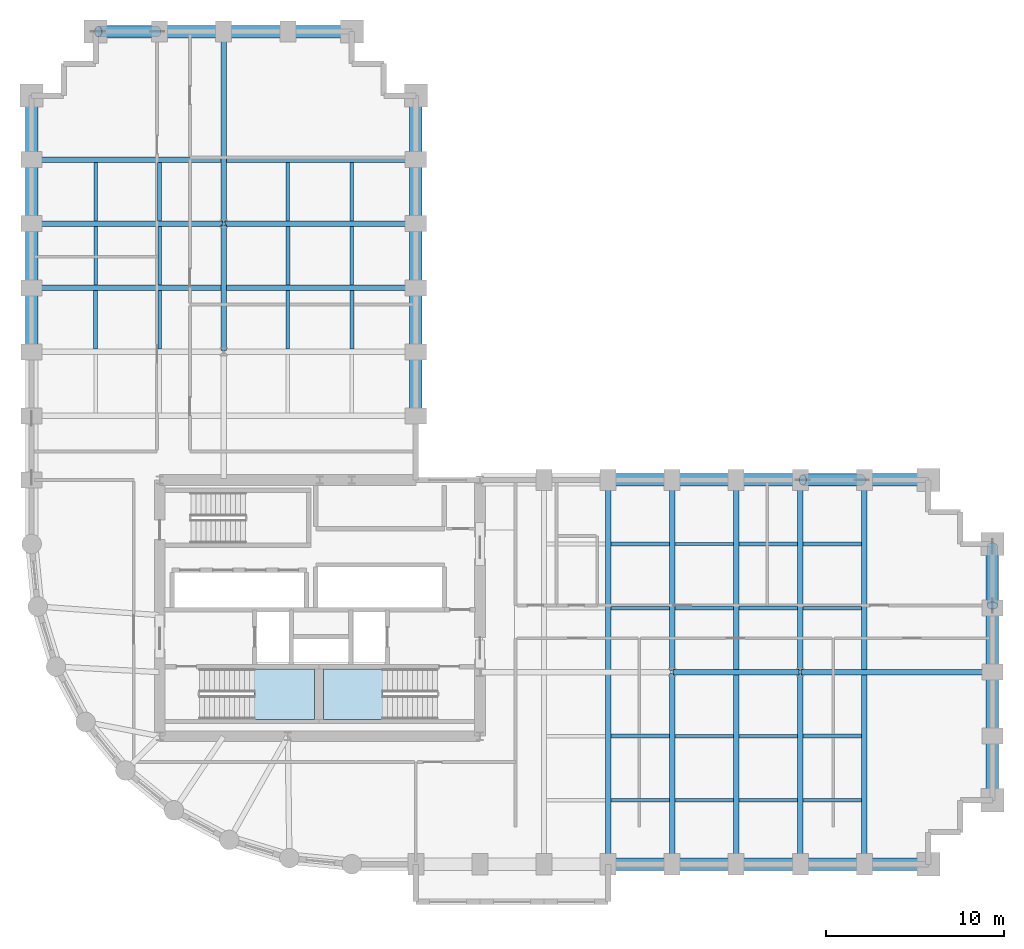
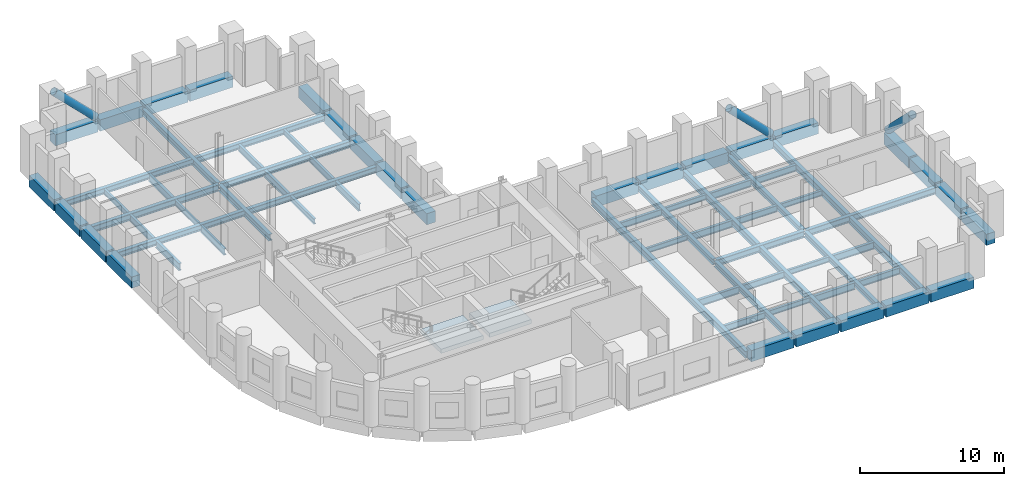
# One storey, part 2 of 9: 70 beams, 3 members, 2 slabs, 2 elements without a shape of their own.
"""IFC4 building model written with IfcOpenShell, lengths in metres."""

from ifc_helpers import new_model, si_unit, direction, frame, origin, origin_2d, place, context, subcontext, project, spatial, polyline, rectangle, hollow_circle, i_section, outline, extrude, material, layer, layer_set, material_profile, profile_set, type_object, element, aggregate, save


model = new_model("IFC4")

# Units and contexts
model_context = context("Model", 3, precision=1e-05, world=origin(), true_north=direction((0.0, 1.0)))
body_context = subcontext(model_context, "Body", "Model", "MODEL_VIEW")
ifc_project = project(units=[si_unit("LENGTHUNIT", "METRE"), si_unit("AREAUNIT", "SQUARE_METRE"), si_unit("VOLUMEUNIT", "CUBIC_METRE"), si_unit("PLANEANGLEUNIT", "RADIAN"), si_unit("MASSUNIT", "GRAM", prefix="KILO")], contexts=[model_context])

# Site, building, storey
site_placement = place(None, origin())
site = spatial("IfcSite", under=ifc_project, at=site_placement, CompositionType="ELEMENT")
building_placement = place(site_placement, origin())
building = spatial("IfcBuilding", under=site, at=building_placement, Name="Solnavia Interchange Tower", CompositionType="ELEMENT")
storey_placement = place(building_placement, frame((0.0, 0.0, 59.10009765625)))
storey = spatial("IfcBuildingStorey", under=building, at=storey_placement, Name="L14", CompositionType="ELEMENT", Elevation=59.10009765625)

# Beams
ifc_material_1 = material(Name="Steel S460", Category="steel")
ifc_material_profile_1 = material_profile(ifc_material_1, i_section(OverallWidth=0.300048828125, OverallDepth=0.550048828125, WebThickness=0.014892578125, FlangeThickness=0.029052734375, FilletRadius=0.027099609375, at=origin_2d()), Name="HEB 550")
ifc_profile_set_1 = profile_set([ifc_material_profile_1], Name="Steel S460")
beam_type_1 = type_object("IfcBeamType", Name="Beam-Girder-HEB550", PredefinedType="BEAM", material=ifc_profile_set_1)
beam_1_placement = place(storey_placement, frame((43.280029296875, 14.39990234375, -0.525146484375), z_axis=(1.0, 0.0, 0.0), x_axis=(0.0, 1.0, 0.0)))
element("IfcBeam", 1, at=beam_1_placement, inside=storey, type_object=beam_type_1, Name="GRD-L14-ES02 East wing spine girder", PredefinedType="BEAM", context=body_context, shape_type="SweptSolid", body=[
    extrude(i_section(OverallWidth=0.300048828125, OverallDepth=0.550048828125, WebThickness=0.014892578125, FlangeThickness=0.029052734375, FilletRadius=0.027099609375, at=origin_2d()), origin(), (0.0, 0.0, 1.0), 7.0400390625),
])
beam_2_placement = place(storey_placement, frame((50.47998046875, 14.39990234375, -0.525146484375), z_axis=(1.0, 0.0, 0.0), x_axis=(0.0, 1.0, 0.0)))
element("IfcBeam", 2, at=beam_2_placement, inside=storey, type_object=beam_type_1, Name="GRD-L14-ES03 East wing spine girder", PredefinedType="BEAM", context=body_context, shape_type="SweptSolid", body=[
    extrude(i_section(OverallWidth=0.300048828125, OverallDepth=0.550048828125, WebThickness=0.014892578125, FlangeThickness=0.029052734375, FilletRadius=0.027099609375, at=origin_2d()), origin(), (0.0, 0.0, 1.0), 10.64013671875),
])
beam_3_placement = place(storey_placement, frame((18.0, 32.47998046875, -0.525146484375), z_axis=(0.0, 1.0, 0.0), x_axis=(-1.0, 0.0, 0.0)))
element("IfcBeam", 3, at=beam_3_placement, inside=storey, type_object=beam_type_1, Name="GRD-L14-NS13 North wing spine girder", PredefinedType="BEAM", context=body_context, shape_type="SweptSolid", body=[
    extrude(i_section(OverallWidth=0.300048828125, OverallDepth=0.550048828125, WebThickness=0.014892578125, FlangeThickness=0.029052734375, FilletRadius=0.027099609375, at=origin_2d()), origin(), (0.0, 0.0, 1.0), 7.0400390625),
])
beam_4_placement = place(storey_placement, frame((18.0, 39.679931640625, -0.525146484375), z_axis=(0.0, 1.0, 0.0), x_axis=(-1.0, 0.0, 0.0)))
element("IfcBeam", 4, at=beam_4_placement, inside=storey, type_object=beam_type_1, Name="GRD-L14-NS14 North wing spine girder", PredefinedType="BEAM", context=body_context, shape_type="SweptSolid", body=[
    extrude(i_section(OverallWidth=0.300048828125, OverallDepth=0.550048828125, WebThickness=0.014892578125, FlangeThickness=0.029052734375, FilletRadius=0.027099609375, at=origin_2d()), origin(), (0.0, 0.0, 1.0), 10.64013671875),
])
for number, where, z_axis, x_axis, name in (
    (5, (7.280029296875, 39.60009765625, -0.525146484375), (1.0, 0.0, 0.0), (0.0, 1.0, 0.0), "GRD-L14-NW19 North wing primary floor girder"),
    (6, (18.080078125, 39.60009765625, -0.525146484375), (1.0, 0.0, 0.0), (0.0, 1.0, 0.0), "GRD-L14-NW20 North wing primary floor girder"),
):
    element("IfcBeam", number, at=place(storey_placement, frame(where, z_axis=z_axis, x_axis=x_axis)), inside=storey, type_object=beam_type_1, Name=name, PredefinedType="BEAM", context=body_context, shape_type="SweptSolid", body=[
        extrude(i_section(OverallWidth=0.300048828125, OverallDepth=0.550048828125, WebThickness=0.014892578125, FlangeThickness=0.029052734375, FilletRadius=0.027099609375, at=origin_2d()), origin(), (0.0, 0.0, 1.0), 10.639892578125),
    ])
ifc_material_2 = material(Name="Steel S355", Category="steel")
ifc_material_profile_2 = material_profile(ifc_material_2, i_section(OverallWidth=0.18994140625, OverallDepth=0.449951171875, WebThickness=0.009521484375, FlangeThickness=0.0146484375, FilletRadius=0.02099609375, at=origin_2d()), Name="IPE 450")
ifc_profile_set_2 = profile_set([ifc_material_profile_2], Name="Steel S355")
beam_type_2 = type_object("IfcBeamType", Name="Beam-Joist-IPE450", PredefinedType="JOIST", material=ifc_profile_set_2)
beam_5_placement = place(storey_placement, frame((43.35009765625, 7.199951171875, -0.47509765625), z_axis=(1.0, 0.0, 0.0), x_axis=(0.0, 1.0, 0.0)))
element("IfcBeam", 7, at=beam_5_placement, inside=storey, type_object=beam_type_2, Name="JST-L14-E03 East wing secondary joist", PredefinedType="JOIST", context=body_context, shape_type="SweptSolid", body=[
    extrude(i_section(OverallWidth=0.18994140625, OverallDepth=0.449951171875, WebThickness=0.009521484375, FlangeThickness=0.0146484375, FilletRadius=0.02099609375, at=origin_2d()), origin(), (0.0, 0.0, 1.0), 3.2998046875),
])
for number, where, z_axis, x_axis, name in (
    (8, (46.949951171875, 10.800048828125, -0.47509765625), (1.0, 0.0, 0.0), (0.0, 1.0, 0.0), "JST-L14-E09 East wing secondary joist"),
    (9, (39.75, 18.0, -0.47509765625), (1.0, 0.0, 0.0), (0.0, 1.0, 0.0), "JST-L14-E12 East wing secondary joist"),
    (10, (50.550048828125, 18.0, -0.47509765625), (1.0, 0.0, 0.0), (0.0, 1.0, 0.0), "JST-L14-E15 East wing secondary joist"),
):
    element("IfcBeam", number, at=place(storey_placement, frame(where, z_axis=z_axis, x_axis=x_axis)), inside=storey, type_object=beam_type_2, Name=name, PredefinedType="JOIST", context=body_context, shape_type="SweptSolid", body=[
        extrude(i_section(OverallWidth=0.18994140625, OverallDepth=0.449951171875, WebThickness=0.009521484375, FlangeThickness=0.0146484375, FilletRadius=0.02099609375, at=origin_2d()), origin(), (0.0, 0.0, 1.0), 3.300048828125),
    ])
beam_6_placement = place(storey_placement, frame((43.35009765625, 21.60009765625, -0.47509765625), z_axis=(1.0, 0.0, 0.0), x_axis=(0.0, 1.0, 0.0)))
element("IfcBeam", 11, at=beam_6_placement, inside=storey, type_object=beam_type_2, Name="JST-L14-E18 East wing secondary joist", PredefinedType="JOIST", context=body_context, shape_type="SweptSolid", body=[
    extrude(i_section(OverallWidth=0.18994140625, OverallDepth=0.449951171875, WebThickness=0.009521484375, FlangeThickness=0.0146484375, FilletRadius=0.02099609375, at=origin_2d()), origin(), (0.0, 0.0, 1.0), 3.2998046875),
])
for number, where, z_axis, x_axis, name in (
    (12, (10.800048828125, 39.75, -0.47509765625), (0.0, 1.0, 0.0), (-1.0, 0.0, 0.0), "JST-L14-N24 North wing secondary joist"),
    (13, (14.39990234375, 36.14990234375, -0.47509765625), (0.0, 1.0, 0.0), (-1.0, 0.0, 0.0), "JST-L14-N27 North wing secondary joist"),
    (14, (21.60009765625, 32.550048828125, -0.47509765625), (0.0, 1.0, 0.0), (-1.0, 0.0, 0.0), "JST-L14-N30 North wing secondary joist"),
    (15, (25.199951171875, 39.75, -0.47509765625), (0.0, 1.0, 0.0), (-1.0, 0.0, 0.0), "JST-L14-N36 North wing secondary joist"),
):
    element("IfcBeam", number, at=place(storey_placement, frame(where, z_axis=z_axis, x_axis=x_axis)), inside=storey, type_object=beam_type_2, Name=name, PredefinedType="JOIST", context=body_context, shape_type="SweptSolid", body=[
        extrude(i_section(OverallWidth=0.18994140625, OverallDepth=0.449951171875, WebThickness=0.009521484375, FlangeThickness=0.0146484375, FilletRadius=0.02099609375, at=origin_2d()), origin(), (0.0, 0.0, 1.0), 3.300048828125),
    ])
ifc_material_profile_3 = material_profile(ifc_material_2, i_section(OverallWidth=0.2099609375, OverallDepth=0.550048828125, WebThickness=0.010986328125, FlangeThickness=0.01708984375, FilletRadius=0.02392578125, at=origin_2d()), Name="IPE 550")
ifc_profile_set_3 = profile_set([ifc_material_profile_3], Name="Steel S355")
beam_type_3 = type_object("IfcBeamType", Name="Beam-Joist-IPE550", PredefinedType="JOIST", material=ifc_profile_set_3)
for number, where, z_axis, x_axis, name in (
    (16, (39.75, 7.199951171875, -0.525146484375), (1.0, 0.0, 0.0), (0.0, 1.0, 0.0), "JST-L14-E02 East wing secondary joist"),
    (17, (50.550048828125, 7.199951171875, -0.525146484375), (1.0, 0.0, 0.0), (0.0, 1.0, 0.0), "JST-L14-E05 East wing secondary joist"),
):
    element("IfcBeam", number, at=place(storey_placement, frame(where, z_axis=z_axis, x_axis=x_axis)), inside=storey, type_object=beam_type_3, Name=name, PredefinedType="JOIST", context=body_context, shape_type="SweptSolid", body=[
        extrude(i_section(OverallWidth=0.2099609375, OverallDepth=0.550048828125, WebThickness=0.010986328125, FlangeThickness=0.01708984375, FilletRadius=0.02392578125, at=origin_2d()), origin(), (0.0, 0.0, 1.0), 3.300048828125),
    ])
beam_7_placement = place(storey_placement, frame((43.35009765625, 10.800048828125, -0.525146484375), z_axis=(1.0, 0.0, 0.0), x_axis=(0.0, 1.0, 0.0)))
element("IfcBeam", 18, at=beam_7_placement, inside=storey, type_object=beam_type_3, Name="JST-L14-E08 East wing secondary joist", PredefinedType="JOIST", context=body_context, shape_type="SweptSolid", body=[
    extrude(i_section(OverallWidth=0.2099609375, OverallDepth=0.550048828125, WebThickness=0.010986328125, FlangeThickness=0.01708984375, FilletRadius=0.02392578125, at=origin_2d()), origin(), (0.0, 0.0, 1.0), 3.2998046875),
])
for number, where, z_axis, x_axis, name in (
    (19, (46.949951171875, 18.0, -0.525146484375), (1.0, 0.0, 0.0), (0.0, 1.0, 0.0), "JST-L14-E14 East wing secondary joist"),
    (20, (39.75, 21.60009765625, -0.525146484375), (1.0, 0.0, 0.0), (0.0, 1.0, 0.0), "JST-L14-E17 East wing secondary joist"),
    (21, (50.550048828125, 21.60009765625, -0.525146484375), (1.0, 0.0, 0.0), (0.0, 1.0, 0.0), "JST-L14-E20 East wing secondary joist"),
    (22, (10.800048828125, 36.14990234375, -0.525146484375), (0.0, 1.0, 0.0), (-1.0, 0.0, 0.0), "JST-L14-N23 North wing secondary joist"),
    (23, (14.39990234375, 32.550048828125, -0.525146484375), (0.0, 1.0, 0.0), (-1.0, 0.0, 0.0), "JST-L14-N26 North wing secondary joist"),
    (24, (21.60009765625, 39.75, -0.525146484375), (0.0, 1.0, 0.0), (-1.0, 0.0, 0.0), "JST-L14-N32 North wing secondary joist"),
    (25, (25.199951171875, 36.14990234375, -0.525146484375), (0.0, 1.0, 0.0), (-1.0, 0.0, 0.0), "JST-L14-N35 North wing secondary joist"),
):
    element("IfcBeam", number, at=place(storey_placement, frame(where, z_axis=z_axis, x_axis=x_axis)), inside=storey, type_object=beam_type_3, Name=name, PredefinedType="JOIST", context=body_context, shape_type="SweptSolid", body=[
        extrude(i_section(OverallWidth=0.2099609375, OverallDepth=0.550048828125, WebThickness=0.010986328125, FlangeThickness=0.01708984375, FilletRadius=0.02392578125, at=origin_2d()), origin(), (0.0, 0.0, 1.0), 3.300048828125),
    ])
ifc_material_profile_4 = material_profile(ifc_material_2, i_section(OverallWidth=0.219970703125, OverallDepth=0.60009765625, WebThickness=0.011962890625, FlangeThickness=0.01904296875, FilletRadius=0.02392578125, at=origin_2d()), Name="IPE 600")
ifc_profile_set_4 = profile_set([ifc_material_profile_4], Name="Steel S355")
beam_type_4 = type_object("IfcBeamType", Name="Beam-Joist-IPE600", PredefinedType="JOIST", material=ifc_profile_set_4)
for number, where, z_axis, x_axis, name in (
    (26, (46.949951171875, 7.199951171875, -0.550048828125), (1.0, 0.0, 0.0), (0.0, 1.0, 0.0), "JST-L14-E04 East wing secondary joist"),
    (27, (39.75, 10.800048828125, -0.550048828125), (1.0, 0.0, 0.0), (0.0, 1.0, 0.0), "JST-L14-E07 East wing secondary joist"),
    (28, (50.550048828125, 10.800048828125, -0.550048828125), (1.0, 0.0, 0.0), (0.0, 1.0, 0.0), "JST-L14-E10 East wing secondary joist"),
):
    element("IfcBeam", number, at=place(storey_placement, frame(where, z_axis=z_axis, x_axis=x_axis)), inside=storey, type_object=beam_type_4, Name=name, PredefinedType="JOIST", context=body_context, shape_type="SweptSolid", body=[
        extrude(i_section(OverallWidth=0.219970703125, OverallDepth=0.60009765625, WebThickness=0.011962890625, FlangeThickness=0.01904296875, FilletRadius=0.02392578125, at=origin_2d()), origin(), (0.0, 0.0, 1.0), 3.300048828125),
    ])
beam_8_placement = place(storey_placement, frame((43.35009765625, 18.0, -0.550048828125), z_axis=(1.0, 0.0, 0.0), x_axis=(0.0, 1.0, 0.0)))
element("IfcBeam", 29, at=beam_8_placement, inside=storey, type_object=beam_type_4, Name="JST-L14-E13 East wing secondary joist", PredefinedType="JOIST", context=body_context, shape_type="SweptSolid", body=[
    extrude(i_section(OverallWidth=0.219970703125, OverallDepth=0.60009765625, WebThickness=0.011962890625, FlangeThickness=0.01904296875, FilletRadius=0.02392578125, at=origin_2d()), origin(), (0.0, 0.0, 1.0), 3.2998046875),
])
for number, where, z_axis, x_axis, name in (
    (30, (46.949951171875, 21.60009765625, -0.550048828125), (1.0, 0.0, 0.0), (0.0, 1.0, 0.0), "JST-L14-E19 East wing secondary joist"),
    (31, (10.800048828125, 32.550048828125, -0.550048828125), (0.0, 1.0, 0.0), (-1.0, 0.0, 0.0), "JST-L14-N22 North wing secondary joist"),
    (32, (14.39990234375, 39.75, -0.550048828125), (0.0, 1.0, 0.0), (-1.0, 0.0, 0.0), "JST-L14-N28 North wing secondary joist"),
    (33, (21.60009765625, 36.14990234375, -0.550048828125), (0.0, 1.0, 0.0), (-1.0, 0.0, 0.0), "JST-L14-N31 North wing secondary joist"),
    (34, (25.199951171875, 32.550048828125, -0.550048828125), (0.0, 1.0, 0.0), (-1.0, 0.0, 0.0), "JST-L14-N34 North wing secondary joist"),
):
    element("IfcBeam", number, at=place(storey_placement, frame(where, z_axis=z_axis, x_axis=x_axis)), inside=storey, type_object=beam_type_4, Name=name, PredefinedType="JOIST", context=body_context, shape_type="SweptSolid", body=[
        extrude(i_section(OverallWidth=0.219970703125, OverallDepth=0.60009765625, WebThickness=0.011962890625, FlangeThickness=0.01904296875, FilletRadius=0.02392578125, at=origin_2d()), origin(), (0.0, 0.0, 1.0), 3.300048828125),
    ])
ifc_material_profile_5 = material_profile(ifc_material_2, i_section(OverallWidth=0.300048828125, OverallDepth=0.489990234375, WebThickness=0.011962890625, FlangeThickness=0.02294921875, FilletRadius=0.027099609375, at=origin_2d()), Name="HEA 500")
ifc_profile_set_5 = profile_set([ifc_material_profile_5], Name="Steel S355")
beam_type_5 = type_object("IfcBeamType", Name="Beam-Primary-HEA500", PredefinedType="BEAM", material=ifc_profile_set_5)
for number, where, z_axis, x_axis, name in (
    (35, (43.199951171875, 3.679931640625, -0.4951171875), (0.0, 1.0, 0.0), (-1.0, 0.0, 0.0), "GRD-L14-EW06 East wing primary floor girder"),
    (36, (43.199951171875, 14.47998046875, -0.4951171875), (0.0, 1.0, 0.0), (-1.0, 0.0, 0.0), "GRD-L14-EW07 East wing primary floor girder"),
    (37, (50.39990234375, 3.679931640625, -0.4951171875), (0.0, 1.0, 0.0), (-1.0, 0.0, 0.0), "GRD-L14-EW09 East wing primary floor girder"),
    (38, (50.39990234375, 14.47998046875, -0.4951171875), (0.0, 1.0, 0.0), (-1.0, 0.0, 0.0), "GRD-L14-EW10 East wing primary floor girder"),
):
    element("IfcBeam", number, at=place(storey_placement, frame(where, z_axis=z_axis, x_axis=x_axis)), inside=storey, type_object=beam_type_5, Name=name, PredefinedType="BEAM", context=body_context, shape_type="SweptSolid", body=[
        extrude(i_section(OverallWidth=0.300048828125, OverallDepth=0.489990234375, WebThickness=0.011962890625, FlangeThickness=0.02294921875, FilletRadius=0.027099609375, at=origin_2d()), origin(), (0.0, 0.0, 1.0), 10.64013671875),
    ])
for number, where, z_axis, x_axis, name in (
    (39, (7.280029296875, 36.0, -0.4951171875), (1.0, 0.0, 0.0), (0.0, 1.0, 0.0), "GRD-L14-NW18 North wing primary floor girder"),
    (40, (7.280029296875, 43.199951171875, -0.4951171875), (1.0, 0.0, 0.0), (0.0, 1.0, 0.0), "GRD-L14-NW21 North wing primary floor girder"),
):
    element("IfcBeam", number, at=place(storey_placement, frame(where, z_axis=z_axis, x_axis=x_axis)), inside=storey, type_object=beam_type_5, Name=name, PredefinedType="BEAM", context=body_context, shape_type="SweptSolid", body=[
        extrude(i_section(OverallWidth=0.300048828125, OverallDepth=0.489990234375, WebThickness=0.011962890625, FlangeThickness=0.02294921875, FilletRadius=0.027099609375, at=origin_2d()), origin(), (0.0, 0.0, 1.0), 21.43994140625),
    ])
ifc_material_profile_6 = material_profile(ifc_material_2, i_section(OverallWidth=0.300048828125, OverallDepth=0.590087890625, WebThickness=0.012939453125, FlangeThickness=0.02490234375, FilletRadius=0.027099609375, at=origin_2d()), Name="HEA 600")
ifc_profile_set_6 = profile_set([ifc_material_profile_6], Name="Steel S355")
beam_type_6 = type_object("IfcBeamType", Name="Beam-Primary-HEA600", PredefinedType="BEAM", material=ifc_profile_set_6)
for number, where, z_axis, x_axis, name in (
    (41, (39.60009765625, 3.679931640625, -0.545166015625), (0.0, 1.0, 0.0), (-1.0, 0.0, 0.0), "GRD-L14-EW05 East wing primary floor girder"),
    (42, (46.800048828125, 3.679931640625, -0.545166015625), (0.0, 1.0, 0.0), (-1.0, 0.0, 0.0), "GRD-L14-EW08 East wing primary floor girder"),
    (43, (54.0, 3.679931640625, -0.545166015625), (0.0, 1.0, 0.0), (-1.0, 0.0, 0.0), "GRD-L14-EW11 East wing primary floor girder"),
):
    element("IfcBeam", number, at=place(storey_placement, frame(where, z_axis=z_axis, x_axis=x_axis)), inside=storey, type_object=beam_type_6, Name=name, PredefinedType="BEAM", context=body_context, shape_type="SweptSolid", body=[
        extrude(i_section(OverallWidth=0.300048828125, OverallDepth=0.590087890625, WebThickness=0.012939453125, FlangeThickness=0.02490234375, FilletRadius=0.027099609375, at=origin_2d()), origin(), (0.0, 0.0, 1.0), 21.440185546875),
    ])
ifc_material_3 = material(Name="Concrete C50/60", Category="concrete")
ifc_material_profile_7 = material_profile(ifc_material_3, rectangle(XDim=0.699951171875, YDim=0.949951171875, at=origin_2d()), Name="RC 700x950")
ifc_profile_set_7 = profile_set([ifc_material_profile_7], Name="Concrete C50/60")
beam_type_7 = type_object("IfcBeamType", Name="Beam-Spandrel-RC700x950", PredefinedType="SPANDREL", material=ifc_profile_set_7)
beam_9_placement = place(storey_placement, frame((39.679931640625, 3.60009765625, -0.47509765625), z_axis=(1.0, 0.0, 0.0), x_axis=(0.0, 1.0, 0.0)))
element("IfcBeam", 44, at=beam_9_placement, inside=storey, type_object=beam_type_7, Name="SPB-L14-13 Framed-tube perimeter spandrel beam", PredefinedType="SPANDREL", context=body_context, shape_type="SweptSolid", body=[
    extrude(rectangle(XDim=0.699951171875, YDim=0.949951171875, at=origin_2d()), origin(), (0.0, 0.0, 1.0), 3.440185546875),
])
beam_10_placement = place(storey_placement, frame((43.280029296875, 3.60009765625, -0.47509765625), z_axis=(1.0, 0.0, 0.0), x_axis=(0.0, 1.0, 0.0)))
element("IfcBeam", 45, at=beam_10_placement, inside=storey, type_object=beam_type_7, Name="SPB-L14-14 Framed-tube perimeter spandrel beam", PredefinedType="SPANDREL", context=body_context, shape_type="SweptSolid", body=[
    extrude(rectangle(XDim=0.699951171875, YDim=0.949951171875, at=origin_2d()), origin(), (0.0, 0.0, 1.0), 3.43994140625),
])
beam_11_placement = place(storey_placement, frame((46.8798828125, 3.60009765625, -0.47509765625), z_axis=(1.0, 0.0, 0.0), x_axis=(0.0, 1.0, 0.0)))
element("IfcBeam", 46, at=beam_11_placement, inside=storey, type_object=beam_type_7, Name="SPB-L14-15 Framed-tube perimeter spandrel beam", PredefinedType="SPANDREL", context=body_context, shape_type="SweptSolid", body=[
    extrude(rectangle(XDim=0.699951171875, YDim=0.949951171875, at=origin_2d()), origin(), (0.0, 0.0, 1.0), 3.440185546875),
])
for number, where, z_axis, x_axis, name in (
    (47, (50.47998046875, 3.60009765625, -0.47509765625), (1.0, 0.0, 0.0), (0.0, 1.0, 0.0), "SPB-L14-16 Framed-tube perimeter spandrel beam"),
    (48, (54.080078125, 3.60009765625, -0.47509765625), (1.0, 0.0, 0.0), (0.0, 1.0, 0.0), "SPB-L14-17 Framed-tube perimeter spandrel beam"),
    (49, (61.199951171875, 7.280029296875, -0.47509765625), (0.0, 1.0, 0.0), (-1.0, 0.0, 0.0), "SPB-L14-18 Framed-tube perimeter spandrel beam"),
):
    element("IfcBeam", number, at=place(storey_placement, frame(where, z_axis=z_axis, x_axis=x_axis)), inside=storey, type_object=beam_type_7, Name=name, PredefinedType="SPANDREL", context=body_context, shape_type="SweptSolid", body=[
        extrude(rectangle(XDim=0.699951171875, YDim=0.949951171875, at=origin_2d()), origin(), (0.0, 0.0, 1.0), 3.43994140625),
    ])
beam_12_placement = place(storey_placement, frame((61.199951171875, 10.8798828125, -0.47509765625), z_axis=(0.0, 1.0, 0.0), x_axis=(-1.0, 0.0, 0.0)))
element("IfcBeam", 50, at=beam_12_placement, inside=storey, type_object=beam_type_7, Name="SPB-L14-19 Framed-tube perimeter spandrel beam", PredefinedType="SPANDREL", context=body_context, shape_type="SweptSolid", body=[
    extrude(rectangle(XDim=0.699951171875, YDim=0.949951171875, at=origin_2d()), origin(), (0.0, 0.0, 1.0), 3.440185546875),
])
for number, where, z_axis, x_axis, name in (
    (51, (61.199951171875, 14.47998046875, -0.47509765625), (0.0, 1.0, 0.0), (-1.0, 0.0, 0.0), "SPB-L14-20 Framed-tube perimeter spandrel beam"),
    (52, (61.199951171875, 18.080078125, -0.47509765625), (0.0, 1.0, 0.0), (-1.0, 0.0, 0.0), "SPB-L14-21 Framed-tube perimeter spandrel beam"),
    (53, (57.52001953125, 25.199951171875, -0.47509765625), (-1.0, 0.0, 0.0), (0.0, -1.0, 0.0), "SPB-L14-22 Framed-tube perimeter spandrel beam"),
    (54, (53.919921875, 25.199951171875, -0.47509765625), (-1.0, 0.0, 0.0), (0.0, -1.0, 0.0), "SPB-L14-23 Framed-tube perimeter spandrel beam"),
):
    element("IfcBeam", number, at=place(storey_placement, frame(where, z_axis=z_axis, x_axis=x_axis)), inside=storey, type_object=beam_type_7, Name=name, PredefinedType="SPANDREL", context=body_context, shape_type="SweptSolid", body=[
        extrude(rectangle(XDim=0.699951171875, YDim=0.949951171875, at=origin_2d()), origin(), (0.0, 0.0, 1.0), 3.43994140625),
    ])
beam_13_placement = place(storey_placement, frame((50.320068359375, 25.199951171875, -0.47509765625), z_axis=(-1.0, 0.0, 0.0), x_axis=(0.0, -1.0, 0.0)))
element("IfcBeam", 55, at=beam_13_placement, inside=storey, type_object=beam_type_7, Name="SPB-L14-24 Framed-tube perimeter spandrel beam", PredefinedType="SPANDREL", context=body_context, shape_type="SweptSolid", body=[
    extrude(rectangle(XDim=0.699951171875, YDim=0.949951171875, at=origin_2d()), origin(), (0.0, 0.0, 1.0), 3.440185546875),
])
beam_14_placement = place(storey_placement, frame((46.719970703125, 25.199951171875, -0.47509765625), z_axis=(-1.0, 0.0, 0.0), x_axis=(0.0, -1.0, 0.0)))
element("IfcBeam", 56, at=beam_14_placement, inside=storey, type_object=beam_type_7, Name="SPB-L14-25 Framed-tube perimeter spandrel beam", PredefinedType="SPANDREL", context=body_context, shape_type="SweptSolid", body=[
    extrude(rectangle(XDim=0.699951171875, YDim=0.949951171875, at=origin_2d()), origin(), (0.0, 0.0, 1.0), 3.43994140625),
])
for number, where, z_axis, x_axis, name in (
    (57, (43.1201171875, 25.199951171875, -0.47509765625), (-1.0, 0.0, 0.0), (0.0, -1.0, 0.0), "SPB-L14-26 Framed-tube perimeter spandrel beam"),
    (58, (28.800048828125, 28.8798828125, -0.47509765625), (0.0, 1.0, 0.0), (-1.0, 0.0, 0.0), "SPB-L14-29 Framed-tube perimeter spandrel beam"),
):
    element("IfcBeam", number, at=place(storey_placement, frame(where, z_axis=z_axis, x_axis=x_axis)), inside=storey, type_object=beam_type_7, Name=name, PredefinedType="SPANDREL", context=body_context, shape_type="SweptSolid", body=[
        extrude(rectangle(XDim=0.699951171875, YDim=0.949951171875, at=origin_2d()), origin(), (0.0, 0.0, 1.0), 3.440185546875),
    ])
for number, where, z_axis, x_axis, name in (
    (59, (28.800048828125, 32.47998046875, -0.47509765625), (0.0, 1.0, 0.0), (-1.0, 0.0, 0.0), "SPB-L14-30 Framed-tube perimeter spandrel beam"),
    (60, (28.800048828125, 36.080078125, -0.47509765625), (0.0, 1.0, 0.0), (-1.0, 0.0, 0.0), "SPB-L14-31 Framed-tube perimeter spandrel beam"),
):
    element("IfcBeam", number, at=place(storey_placement, frame(where, z_axis=z_axis, x_axis=x_axis)), inside=storey, type_object=beam_type_7, Name=name, PredefinedType="SPANDREL", context=body_context, shape_type="SweptSolid", body=[
        extrude(rectangle(XDim=0.699951171875, YDim=0.949951171875, at=origin_2d()), origin(), (0.0, 0.0, 1.0), 3.43994140625),
    ])
beam_15_placement = place(storey_placement, frame((28.800048828125, 39.679931640625, -0.47509765625), z_axis=(0.0, 1.0, 0.0), x_axis=(-1.0, 0.0, 0.0)))
element("IfcBeam", 61, at=beam_15_placement, inside=storey, type_object=beam_type_7, Name="SPB-L14-32 Framed-tube perimeter spandrel beam", PredefinedType="SPANDREL", context=body_context, shape_type="SweptSolid", body=[
    extrude(rectangle(XDim=0.699951171875, YDim=0.949951171875, at=origin_2d()), origin(), (0.0, 0.0, 1.0), 3.440185546875),
])
beam_16_placement = place(storey_placement, frame((28.800048828125, 43.280029296875, -0.47509765625), z_axis=(0.0, 1.0, 0.0), x_axis=(-1.0, 0.0, 0.0)))
element("IfcBeam", 62, at=beam_16_placement, inside=storey, type_object=beam_type_7, Name="SPB-L14-33 Framed-tube perimeter spandrel beam", PredefinedType="SPANDREL", context=body_context, shape_type="SweptSolid", body=[
    extrude(rectangle(XDim=0.699951171875, YDim=0.949951171875, at=origin_2d()), origin(), (0.0, 0.0, 1.0), 3.43994140625),
])
beam_17_placement = place(storey_placement, frame((25.1201171875, 50.39990234375, -0.47509765625), z_axis=(-1.0, 0.0, 0.0), x_axis=(0.0, -1.0, 0.0)))
element("IfcBeam", 63, at=beam_17_placement, inside=storey, type_object=beam_type_7, Name="SPB-L14-34 Framed-tube perimeter spandrel beam", PredefinedType="SPANDREL", context=body_context, shape_type="SweptSolid", body=[
    extrude(rectangle(XDim=0.699951171875, YDim=0.949951171875, at=origin_2d()), origin(), (0.0, 0.0, 1.0), 3.440185546875),
])
for number, where, z_axis, x_axis, name in (
    (64, (21.52001953125, 50.39990234375, -0.47509765625), (-1.0, 0.0, 0.0), (0.0, -1.0, 0.0), "SPB-L14-35 Framed-tube perimeter spandrel beam"),
    (65, (17.919921875, 50.39990234375, -0.47509765625), (-1.0, 0.0, 0.0), (0.0, -1.0, 0.0), "SPB-L14-36 Framed-tube perimeter spandrel beam"),
):
    element("IfcBeam", number, at=place(storey_placement, frame(where, z_axis=z_axis, x_axis=x_axis)), inside=storey, type_object=beam_type_7, Name=name, PredefinedType="SPANDREL", context=body_context, shape_type="SweptSolid", body=[
        extrude(rectangle(XDim=0.699951171875, YDim=0.949951171875, at=origin_2d()), origin(), (0.0, 0.0, 1.0), 3.43994140625),
    ])
beam_18_placement = place(storey_placement, frame((14.320068359375, 50.39990234375, -0.47509765625), z_axis=(-1.0, 0.0, 0.0), x_axis=(0.0, -1.0, 0.0)))
element("IfcBeam", 66, at=beam_18_placement, inside=storey, type_object=beam_type_7, Name="SPB-L14-37 Framed-tube perimeter spandrel beam", PredefinedType="SPANDREL", context=body_context, shape_type="SweptSolid", body=[
    extrude(rectangle(XDim=0.699951171875, YDim=0.949951171875, at=origin_2d()), origin(), (0.0, 0.0, 1.0), 3.440185546875),
])
beam_19_placement = place(storey_placement, frame((7.199951171875, 46.719970703125, -0.47509765625), z_axis=(0.0, -1.0, 0.0), x_axis=(1.0, 0.0, 0.0)))
element("IfcBeam", 67, at=beam_19_placement, inside=storey, type_object=beam_type_7, Name="SPB-L14-38 Framed-tube perimeter spandrel beam", PredefinedType="SPANDREL", context=body_context, shape_type="SweptSolid", body=[
    extrude(rectangle(XDim=0.699951171875, YDim=0.949951171875, at=origin_2d()), origin(), (0.0, 0.0, 1.0), 3.43994140625),
])
beam_20_placement = place(storey_placement, frame((7.199951171875, 43.1201171875, -0.47509765625), z_axis=(0.0, -1.0, 0.0), x_axis=(1.0, 0.0, 0.0)))
element("IfcBeam", 68, at=beam_20_placement, inside=storey, type_object=beam_type_7, Name="SPB-L14-39 Framed-tube perimeter spandrel beam", PredefinedType="SPANDREL", context=body_context, shape_type="SweptSolid", body=[
    extrude(rectangle(XDim=0.699951171875, YDim=0.949951171875, at=origin_2d()), origin(), (0.0, 0.0, 1.0), 3.440185546875),
])
for number, where, z_axis, x_axis, name in (
    (69, (7.199951171875, 39.52001953125, -0.47509765625), (0.0, -1.0, 0.0), (1.0, 0.0, 0.0), "SPB-L14-40 Framed-tube perimeter spandrel beam"),
    (70, (7.199951171875, 35.919921875, -0.47509765625), (0.0, -1.0, 0.0), (1.0, 0.0, 0.0), "SPB-L14-41 Framed-tube perimeter spandrel beam"),
):
    element("IfcBeam", number, at=place(storey_placement, frame(where, z_axis=z_axis, x_axis=x_axis)), inside=storey, type_object=beam_type_7, Name=name, PredefinedType="SPANDREL", context=body_context, shape_type="SweptSolid", body=[
        extrude(rectangle(XDim=0.699951171875, YDim=0.949951171875, at=origin_2d()), origin(), (0.0, 0.0, 1.0), 3.43994140625),
    ])

# Members
ifc_material_profile_8 = material_profile(ifc_material_1, hollow_circle(Radius=0.304931640625, WallThickness=0.02490234375, at=origin_2d()), Name="CHS 610x25")
ifc_profile_set_8 = profile_set([ifc_material_profile_8], Name="Steel S460")
member_type = type_object("IfcMemberType", Name="Brace-Perim-CHS610", PredefinedType="BRACE", material=ifc_profile_set_8)
for number, where, z_axis, x_axis, name in (
    (71, (61.199951171875, 21.4599609375, 0.179931640625), (0.0, -0.710311792477, 0.703887176661), (1.0, 0.0, 0.0), "BRC-L14-02 Perimeter tube diagonal brace"),
    (72, (14.260009765625, 50.39990234375, 0.179931640625), (-0.710311792477, 0.0, 0.703887176661), (0.0, -1.0, 0.0), "BRC-L14-03 Perimeter tube diagonal brace"),
    (73, (53.860107421875, 25.199951171875, 0.179931640625), (-0.710311792477, 0.0, 0.703887176661), (0.0, -1.0, 0.0), "BRC-L14-04 Perimeter tube diagonal brace"),
):
    element("IfcMember", number, at=place(storey_placement, frame(where, z_axis=z_axis, x_axis=x_axis)), inside=storey, type_object=member_type, Name=name, PredefinedType="BRACE", context=body_context, shape_type="SweptSolid", body=[
        extrude(hollow_circle(Radius=0.304931640625, WallThickness=0.02490234375, at=origin_2d()), origin(), (0.0, 0.0, 1.0), 4.674072265625),
    ])

# Stair, slab
ifc_material_4 = material(Name="Concrete C40/50", Category="concrete")
stair_type = type_object("IfcStairType", Name="Stair-Dogleg-RC", PredefinedType="HALF_TURN_STAIR", material=ifc_material_4)
stair_1_placement = place(storey_placement, origin())
stair_1 = element("IfcStair", 74, at=stair_1_placement, inside=storey, type_object=stair_type, Name="L14 Core exit stair 1", PredefinedType="HALF_TURN_STAIR")
ifc_layer = layer(ifc_material_4, 0.35009765625)
ifc_layer_set = layer_set([ifc_layer], Name="Concrete C40/50")
slab_type = type_object("IfcSlabType", Name="Slab-StairLanding-350", PredefinedType="LANDING", material=ifc_layer_set)
slab_1_placement = place(storey_placement, frame((0.0, 0.0, 1.599853515625)))
slab_1 = element("IfcSlab", 75, at=slab_1_placement, type_object=slab_type, Name="ST-1 landing 1", PredefinedType="LANDING", context=body_context, shape_type="SweptSolid", body=[
    extrude(outline(polyline([(19.7080078125, 11.75), (23.10009765625, 11.75), (23.10009765625, 14.590087890625), (19.7080078125, 14.590087890625), (19.7080078125, 11.75)])), origin(), (0.0, 0.0, 1.0), 0.35009765625),
])
aggregate(stair_1, [slab_1])

stair_2_placement = place(storey_placement, origin())
stair_2 = element("IfcStair", 76, at=stair_2_placement, inside=storey, type_object=stair_type, Name="L14 Core exit stair 2", PredefinedType="HALF_TURN_STAIR")
slab_2_placement = place(storey_placement, frame((0.0, 0.0, 1.599853515625)))
slab_2 = element("IfcSlab", 77, at=slab_2_placement, type_object=slab_type, Name="ST-2 landing 1", PredefinedType="LANDING", context=body_context, shape_type="SweptSolid", body=[
    extrude(outline(polyline([(23.60009765625, 11.75), (26.94189453125, 11.75), (26.94189453125, 14.590087890625), (23.60009765625, 14.590087890625), (23.60009765625, 11.75)])), origin(), (0.0, 0.0, 1.0), 0.35009765625),
])
aggregate(stair_2, [slab_2])

save(model, "model.ifc")
